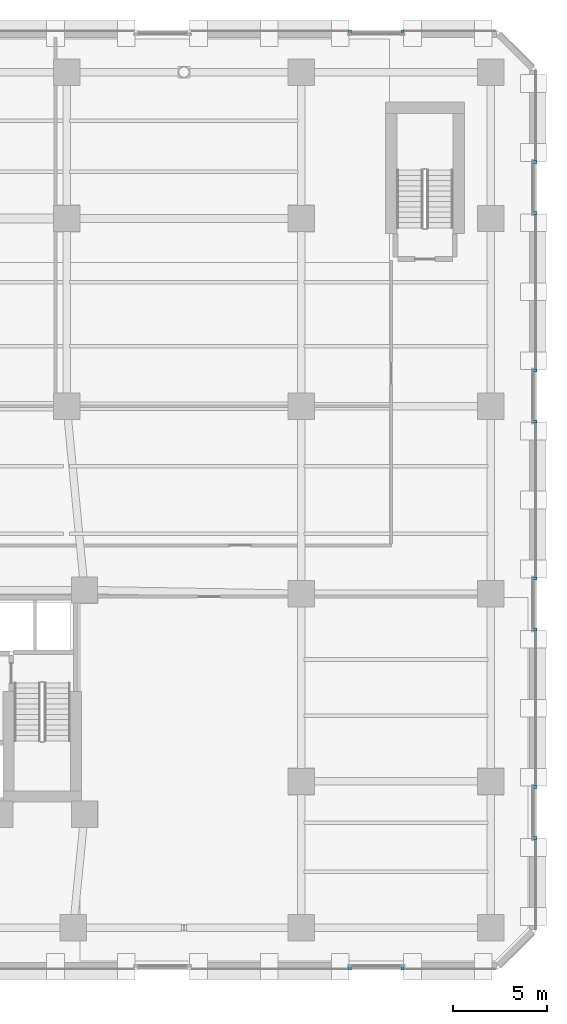
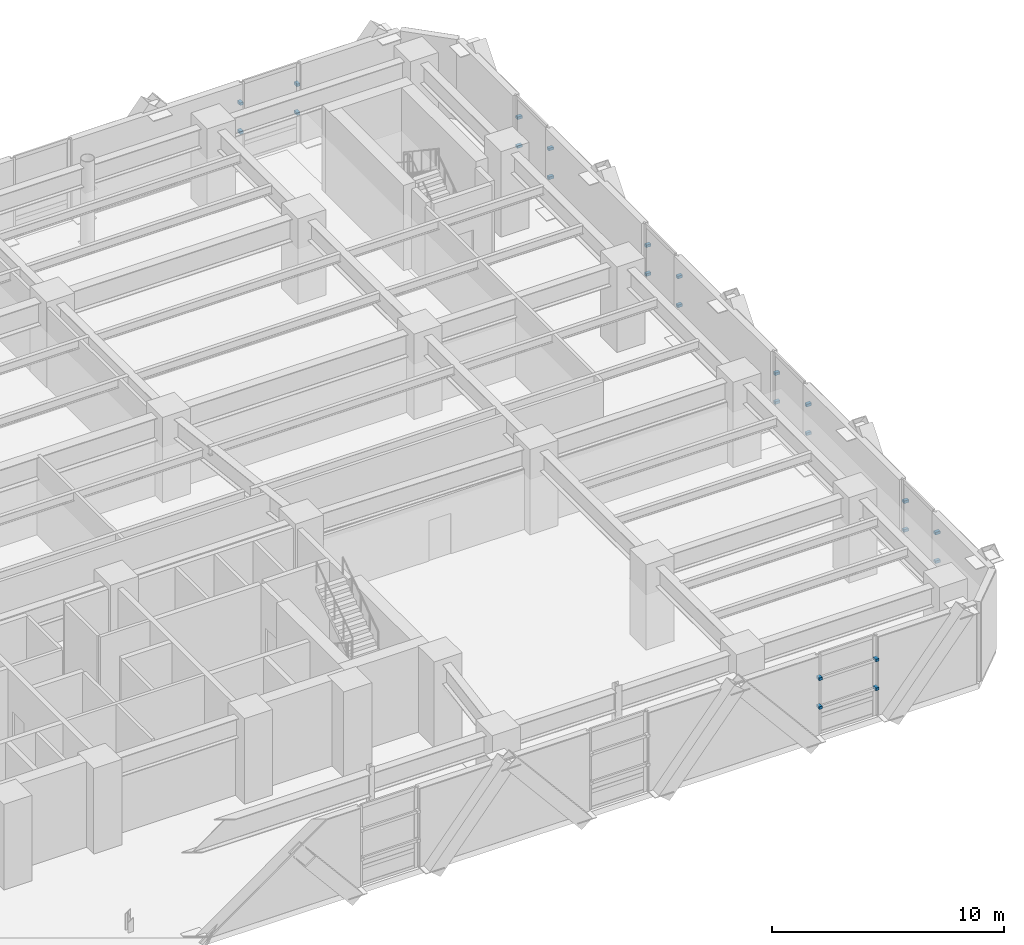
# One storey, part 19 of 26: 24 discrete accessories.
"""IFC4 building model written with IfcOpenShell, lengths in metres."""

from ifc_helpers import new_model, si_unit, direction, frame, origin, origin_2d, place, context, subcontext, project, spatial, rectangle, extrude, material, type_object, element, save


model = new_model("IFC4")

# Units and contexts
model_context = context("Model", 3, precision=1e-05, world=origin(), true_north=direction((0.0, 1.0)))
body_context = subcontext(model_context, "Body", "Model", "MODEL_VIEW")
ifc_project = project(units=[si_unit("LENGTHUNIT", "METRE"), si_unit("AREAUNIT", "SQUARE_METRE"), si_unit("VOLUMEUNIT", "CUBIC_METRE"), si_unit("PLANEANGLEUNIT", "RADIAN"), si_unit("MASSUNIT", "GRAM", prefix="KILO")], contexts=[model_context])

# Site, building, storey
site_placement = place(None, origin())
site = spatial("IfcSite", under=ifc_project, at=site_placement, CompositionType="ELEMENT")
building_placement = place(site_placement, origin())
building = spatial("IfcBuilding", under=site, at=building_placement, Name="Quenlor Broadcast Tower", CompositionType="ELEMENT")
storey_placement = place(building_placement, frame((0.0, 0.0, 14.0)))
storey = spatial("IfcBuildingStorey", under=building, at=storey_placement, Name="L03", CompositionType="ELEMENT", Elevation=14.0)

# Discrete accessories
ifc_material = material(Name="Aluminium 6063-T6", Category="aluminium")
discrete_accessory_type = type_object("IfcDiscreteAccessoryType", Name="Stainless Mullion Baguette Support Bracket", PredefinedType="BRACKET", material=ifc_material)
for number, where, z_axis, x_axis, name in (
    (1, (29.909423828125, -24.93994140625, 1.44189453125), (0.0, 0.0, 1.0), (-1.0, 0.0, 0.0), "L03 Baguette Mullion Bracket 1.1"),
    (2, (27.090576171875, -24.93994140625, 1.44189453125), (0.0, 0.0, 1.0), (-1.0, 0.0, 0.0), "L03 Baguette Mullion Bracket 1.2"),
    (3, (29.909423828125, -24.93994140625, 2.9541015625), (0.0, 0.0, 1.0), (-1.0, 0.0, 0.0), "L03 Baguette Mullion Bracket 2.1"),
    (4, (27.090576171875, -24.93994140625, 2.9541015625), (0.0, 0.0, 1.0), (-1.0, 0.0, 0.0), "L03 Baguette Mullion Bracket 2.2"),
    (5, (27.090576171875, 24.93994140625, 1.44189453125), (0.0, 0.0, 1.0), (1.0, 0.0, 0.0), "L03 Baguette Mullion Bracket 1.1"),
    (6, (29.909423828125, 24.93994140625, 1.44189453125), (0.0, 0.0, 1.0), (1.0, 0.0, 0.0), "L03 Baguette Mullion Bracket 1.2"),
    (7, (27.090576171875, 24.93994140625, 2.9541015625), (0.0, 0.0, 1.0), (1.0, 0.0, 0.0), "L03 Baguette Mullion Bracket 2.1"),
    (8, (29.909423828125, 24.93994140625, 2.9541015625), (0.0, 0.0, 1.0), (1.0, 0.0, 0.0), "L03 Baguette Mullion Bracket 2.2"),
    (9, (36.93994140625, 18.00634765625, 1.44189453125), (0.0, 0.0, 1.0), (0.0, -1.0, 0.0), "L03 Baguette Mullion Bracket 1.1"),
    (10, (36.93994140625, 15.293701171875, 1.44189453125), (0.0, 0.0, 1.0), (0.0, -1.0, 0.0), "L03 Baguette Mullion Bracket 1.2"),
    (11, (36.93994140625, 18.00634765625, 2.9541015625), (0.0, 0.0, 1.0), (0.0, -1.0, 0.0), "L03 Baguette Mullion Bracket 2.1"),
    (12, (36.93994140625, 15.293701171875, 2.9541015625), (0.0, 0.0, 1.0), (0.0, -1.0, 0.0), "L03 Baguette Mullion Bracket 2.2"),
    (13, (36.93994140625, 6.90625, 1.44189453125), (0.0, 0.0, 1.0), (0.0, -1.0, 0.0), "L03 Baguette Mullion Bracket 1.1"),
    (14, (36.93994140625, 4.193603515625, 1.44189453125), (0.0, 0.0, 1.0), (0.0, -1.0, 0.0), "L03 Baguette Mullion Bracket 1.2"),
    (15, (36.93994140625, 6.90625, 2.9541015625), (0.0, 0.0, 1.0), (0.0, -1.0, 0.0), "L03 Baguette Mullion Bracket 2.1"),
    (16, (36.93994140625, 4.193603515625, 2.9541015625), (0.0, 0.0, 1.0), (0.0, -1.0, 0.0), "L03 Baguette Mullion Bracket 2.2"),
    (17, (36.93994140625, -4.193603515625, 1.44189453125), (0.0, 0.0, 1.0), (0.0, -1.0, 0.0), "L03 Baguette Mullion Bracket 1.1"),
    (18, (36.93994140625, -6.90625, 1.44189453125), (0.0, 0.0, 1.0), (0.0, -1.0, 0.0), "L03 Baguette Mullion Bracket 1.2"),
    (19, (36.93994140625, -4.193603515625, 2.9541015625), (0.0, 0.0, 1.0), (0.0, -1.0, 0.0), "L03 Baguette Mullion Bracket 2.1"),
    (20, (36.93994140625, -6.90625, 2.9541015625), (0.0, 0.0, 1.0), (0.0, -1.0, 0.0), "L03 Baguette Mullion Bracket 2.2"),
    (21, (36.93994140625, -15.293701171875, 1.44189453125), (0.0, 0.0, 1.0), (0.0, -1.0, 0.0), "L03 Baguette Mullion Bracket 1.1"),
    (22, (36.93994140625, -18.00634765625, 1.44189453125), (0.0, 0.0, 1.0), (0.0, -1.0, 0.0), "L03 Baguette Mullion Bracket 1.2"),
    (23, (36.93994140625, -15.293701171875, 2.9541015625), (0.0, 0.0, 1.0), (0.0, -1.0, 0.0), "L03 Baguette Mullion Bracket 2.1"),
    (24, (36.93994140625, -18.00634765625, 2.9541015625), (0.0, 0.0, 1.0), (0.0, -1.0, 0.0), "L03 Baguette Mullion Bracket 2.2"),
):
    element("IfcDiscreteAccessory", number, at=place(storey_placement, frame(where, z_axis=z_axis, x_axis=x_axis)), inside=storey, type_object=discrete_accessory_type, Name=name, PredefinedType="BRACKET", context=body_context, shape_type="SweptSolid", body=[
        extrude(rectangle(XDim=0.159912109375, YDim=0.239990234375, at=origin_2d()), origin(), (0.0, 0.0, 1.0), 0.139892578125),
    ])

save(model, "model.ifc")
